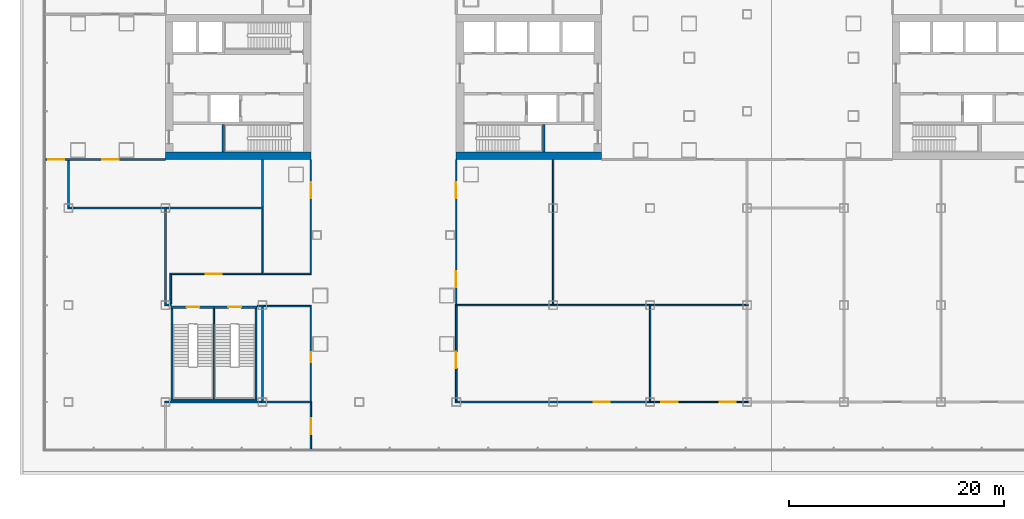
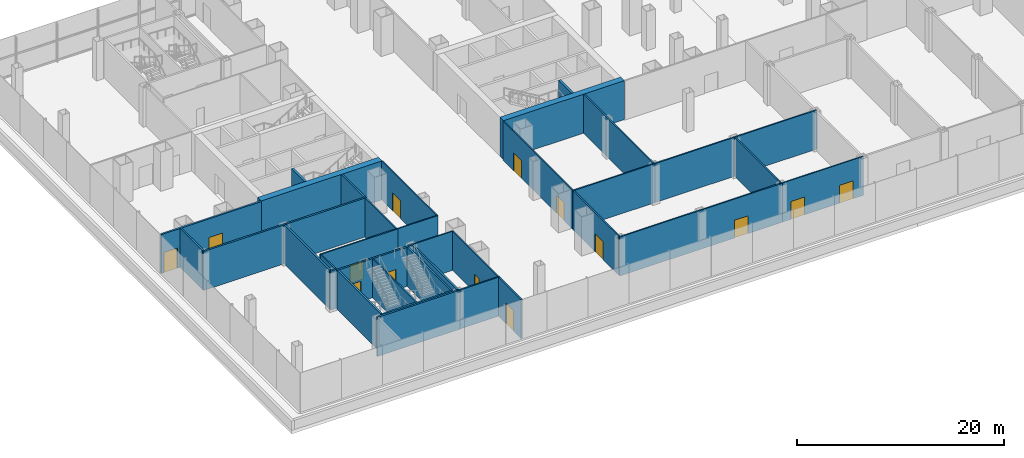
# One storey, part 20 of 33: 36 walls, 14 doors, 14 openings.
"""IFC4 building model written with IfcOpenShell, lengths in metres."""

from ifc_helpers import new_model, si_unit, direction, frame, frame_2d, origin, place, context, subcontext, project, spatial, rectangle, extrude, material, layer, layer_set, type_object, element, fill, save


model = new_model("IFC4")

# Units and contexts
model_context = context("Model", 3, precision=1e-05, world=origin(), true_north=direction((0.0, 1.0)))
body_context = subcontext(model_context, "Body", "Model", "MODEL_VIEW")
ifc_project = project(units=[si_unit("LENGTHUNIT", "METRE"), si_unit("AREAUNIT", "SQUARE_METRE"), si_unit("VOLUMEUNIT", "CUBIC_METRE"), si_unit("PLANEANGLEUNIT", "RADIAN"), si_unit("MASSUNIT", "GRAM", prefix="KILO")], contexts=[model_context])

# Site, building, storey
site_placement = place(None, origin())
site = spatial("IfcSite", under=ifc_project, at=site_placement, CompositionType="ELEMENT")
building_placement = place(site_placement, origin())
building = spatial("IfcBuilding", under=site, at=building_placement, Name="Shamsa Quay Exchange Towers", CompositionType="ELEMENT")
storey_placement = place(building_placement, frame((0.0, 0.0, 18.5)))
storey = spatial("IfcBuildingStorey", under=building, at=storey_placement, Name="L03", CompositionType="ELEMENT", Elevation=18.5)

# Walls
ifc_material_1 = material(Name="Concrete C80/95", Category="concrete")
ifc_layer_1 = layer(ifc_material_1, 0.699951171875)
ifc_layer_set_1 = layer_set([ifc_layer_1], Name="CORE WALL 700 C80/95")
wall_type_1 = type_object("IfcWallType", Name="CORE WALL 700 C80/95", PredefinedType="SHEAR", material=ifc_layer_set_1)
wall_1_placement = place(storey_placement, frame((-27.0, -6.39990234375, 0.0)))
element("IfcWall", 1, at=wall_1_placement, inside=storey, type_object=wall_type_1, Name="Core wall T1A-L03-PS", PredefinedType="SHEAR", context=body_context, shape_type="SweptSolid", body=[
    extrude(rectangle(XDim=13.5, YDim=0.699951171875, at=frame_2d((6.75, 0.0))), origin(), (0.0, 0.0, 1.0), 4.60009765625),
])
wall_2_placement = place(storey_placement, frame((-40.5, -6.39990234375, 0.0), z_axis=(0.0, 0.0, 1.0), x_axis=(-1.0, 0.0, 0.0)))
element("IfcWall", 2, at=wall_2_placement, inside=storey, type_object=wall_type_1, Name="Core wall T1B-L03-PS", PredefinedType="SHEAR", context=body_context, shape_type="SweptSolid", body=[
    extrude(rectangle(XDim=13.5, YDim=0.699951171875, at=frame_2d((6.75, 0.0))), origin(), (0.0, 0.0, 1.0), 4.60009765625),
])

# Wall, openings, doors
ifc_material_2 = material(Name="Laminated fire-resisting glass in a metal frame", Category="glass")
ifc_layer_2 = layer(ifc_material_2, 0.125)
ifc_layer_set_2 = layer_set([ifc_layer_2], Name="Glazed partition 125 mm EI 60")
wall_type_2 = type_object("IfcWallType", Name="Glazed partition 125 mm EI 60", PredefinedType="PARTITIONING", material=ifc_layer_set_2)
wall_3_placement = place(storey_placement, frame((-27.0, -20.175048828125, 0.0), z_axis=(0.0, 0.0, 1.0), x_axis=(0.0, 1.0, 0.0)))
wall_3 = element("IfcWall", 3, at=wall_3_placement, inside=storey, type_object=wall_type_2, Name="Partition PD-L03-W03", PredefinedType="PARTITIONING", context=body_context, shape_type="SweptSolid", body=[
    extrude(rectangle(XDim=13.425048828125, YDim=0.125, at=frame_2d((6.71240234375, 0.0))), origin(), (0.0, 0.0, 1.0), 4.60009765625),
])
opening_1_placement = place(wall_3_placement, frame((1.574951171875, 0.0, 0.0)))
opening_1 = element("IfcOpeningElement", 4, at=opening_1_placement, cuts=wall_3, Name="Opening PD-L03-D13", PredefinedType="OPENING", context=body_context, shape_type="SweptSolid", body=[
    extrude(rectangle(XDim=1.5, YDim=2.10009765625, at=frame_2d((0.75, 1.050048828125))), frame((0.0, 0.072509765625, 0.0), z_axis=(0.0, -1.0, 0.0), x_axis=(1.0, 0.0, 0.0)), (0.0, 0.0, 1.0), 0.14501953125),
])
opening_2_placement = place(wall_3_placement, frame((9.824951171875, 0.0, 0.0)))
opening_2 = element("IfcOpeningElement", 5, at=opening_2_placement, cuts=wall_3, Name="Opening PD-L03-D14", PredefinedType="OPENING", context=body_context, shape_type="SweptSolid", body=[
    extrude(rectangle(XDim=1.5, YDim=2.10009765625, at=frame_2d((0.75, 1.050048828125))), frame((0.0, 0.072509765625, 0.0), z_axis=(0.0, -1.0, 0.0), x_axis=(1.0, 0.0, 0.0)), (0.0, 0.0, 1.0), 0.14501953125),
])
ifc_material_3 = material(Name="Timber door leaf in a metal frame", Category="wood")
door_type_1 = type_object("IfcDoorType", Name="Door 1500x2100 FD30S pair", OperationType="NOTDEFINED", PredefinedType="DOOR", material=ifc_material_3)
door_1_placement = place(opening_1_placement, origin())
door_1 = element("IfcDoor", 6, at=door_1_placement, inside=storey, type_object=door_type_1, Name="Door PD-L03-D13", OperationType="DOUBLE_DOOR_SINGLE_SWING", OverallHeight=2.10009765625, OverallWidth=1.5, PredefinedType="DOOR", context=body_context, shape_type="SweptSolid", body=[
    extrude(rectangle(XDim=1.5, YDim=2.10009765625, at=frame_2d((0.75, 1.050048828125))), frame((0.0, 0.02490234375, 0.0), z_axis=(0.0, -1.0, 0.0), x_axis=(1.0, 0.0, 0.0)), (0.0, 0.0, 1.0), 0.050048828125),
])
fill(opening_1, door_1)
door_2_placement = place(opening_2_placement, origin())
door_2 = element("IfcDoor", 7, at=door_2_placement, inside=storey, type_object=door_type_1, Name="Door PD-L03-D14", OperationType="DOUBLE_DOOR_SINGLE_SWING", OverallHeight=2.10009765625, OverallWidth=1.5, PredefinedType="DOOR", context=body_context, shape_type="SweptSolid", body=[
    extrude(rectangle(XDim=1.5, YDim=2.10009765625, at=frame_2d((0.75, 1.050048828125))), frame((0.0, 0.02490234375, 0.0), z_axis=(0.0, -1.0, 0.0), x_axis=(1.0, 0.0, 0.0)), (0.0, 0.0, 1.0), 0.050048828125),
])
fill(opening_2, door_2)

# Wall, opening, door
wall_4_placement = place(storey_placement, frame((-40.5, -29.175048828125, 0.0), z_axis=(0.0, 0.0, 1.0), x_axis=(0.0, 1.0, 0.0)))
wall_4 = element("IfcWall", 8, at=wall_4_placement, inside=storey, type_object=wall_type_2, Name="Partition PD-L03-W07", PredefinedType="PARTITIONING", context=body_context, shape_type="SweptSolid", body=[
    extrude(rectangle(XDim=8.762939453125, YDim=0.125, at=frame_2d((4.38134765625, 0.0))), origin(), (0.0, 0.0, 1.0), 4.60009765625),
])
opening_3_placement = place(wall_4_placement, frame((3.625244140625, 0.0, 0.0)))
opening_3 = element("IfcOpeningElement", 9, at=opening_3_placement, cuts=wall_4, Name="Opening PD-L03-D07", PredefinedType="OPENING", context=body_context, shape_type="SweptSolid", body=[
    extrude(rectangle(XDim=0.89990234375, YDim=2.10009765625, at=frame_2d((0.449951171875, 1.050048828125))), frame((0.0, 0.072509765625, 0.0), z_axis=(0.0, -1.0, 0.0), x_axis=(1.0, 0.0, 0.0)), (0.0, 0.0, 1.0), 0.14501953125),
])
door_type_2 = type_object("IfcDoorType", Name="Door 900x2100 FD30S", OperationType="NOTDEFINED", PredefinedType="DOOR", material=ifc_material_3)
door_3_placement = place(opening_3_placement, origin())
door_3 = element("IfcDoor", 10, at=door_3_placement, inside=storey, type_object=door_type_2, Name="Door PD-L03-D07", OperationType="SINGLE_SWING_LEFT", OverallHeight=2.10009765625, OverallWidth=0.89990234375, PredefinedType="DOOR", context=body_context, shape_type="SweptSolid", body=[
    extrude(rectangle(XDim=0.89990234375, YDim=2.10009765625, at=frame_2d((0.449951171875, 1.050048828125))), frame((0.0, 0.02490234375, 0.0), z_axis=(0.0, -1.0, 0.0), x_axis=(1.0, 0.0, 0.0)), (0.0, 0.0, 1.0), 0.050048828125),
])
fill(opening_3, door_3)

wall_5_placement = place(storey_placement, frame((-40.5, -17.287109375, 0.0), z_axis=(0.0, 0.0, 1.0), x_axis=(0.0, 1.0, 0.0)))
wall_5 = element("IfcWall", 11, at=wall_5_placement, inside=storey, type_object=wall_type_2, Name="Partition PD-L03-W08", PredefinedType="PARTITIONING", context=body_context, shape_type="SweptSolid", body=[
    extrude(rectangle(XDim=10.537109375, YDim=0.125, at=frame_2d((5.2685546875, 0.0))), origin(), (0.0, 0.0, 1.0), 4.60009765625),
])
opening_4_placement = place(wall_5_placement, frame((6.93701171875, 0.0, 0.0)))
opening_4 = element("IfcOpeningElement", 12, at=opening_4_placement, cuts=wall_5, Name="Opening PD-L03-D08", PredefinedType="OPENING", context=body_context, shape_type="SweptSolid", body=[
    extrude(rectangle(XDim=1.5, YDim=2.10009765625, at=frame_2d((0.75, 1.050048828125))), frame((0.0, 0.072509765625, 0.0), z_axis=(0.0, -1.0, 0.0), x_axis=(1.0, 0.0, 0.0)), (0.0, 0.0, 1.0), 0.14501953125),
])
door_4_placement = place(opening_4_placement, origin())
door_4 = element("IfcDoor", 13, at=door_4_placement, inside=storey, type_object=door_type_1, Name="Door PD-L03-D08", OperationType="DOUBLE_DOOR_SINGLE_SWING", OverallHeight=2.10009765625, OverallWidth=1.5, PredefinedType="DOOR", context=body_context, shape_type="SweptSolid", body=[
    extrude(rectangle(XDim=1.5, YDim=2.10009765625, at=frame_2d((0.75, 1.050048828125))), frame((0.0, 0.02490234375, 0.0), z_axis=(0.0, -1.0, 0.0), x_axis=(1.0, 0.0, 0.0)), (0.0, 0.0, 1.0), 0.050048828125),
])
fill(opening_4, door_4)

# Wall, openings, doors
wall_6_placement = place(storey_placement, frame((0.10009765625, -29.25, 0.0), z_axis=(0.0, 0.0, 1.0), x_axis=(-1.0, 0.0, 0.0)))
wall_6 = element("IfcWall", 14, at=wall_6_placement, inside=storey, type_object=wall_type_2, Name="Partition PD-L03-W31", PredefinedType="PARTITIONING", context=body_context, shape_type="SweptSolid", body=[
    extrude(rectangle(XDim=9.175048828125, YDim=0.125, at=frame_2d((4.58740234375, 0.0))), origin(), (0.0, 0.0, 1.0), 4.60009765625),
])
opening_5_placement = place(wall_6_placement, frame((1.14990234375, 0.0, 0.0)))
opening_5 = element("IfcOpeningElement", 15, at=opening_5_placement, cuts=wall_6, Name="Opening PD-L03-D19", PredefinedType="OPENING", context=body_context, shape_type="SweptSolid", body=[
    extrude(rectangle(XDim=1.5, YDim=2.10009765625, at=frame_2d((0.75, 1.050048828125))), frame((0.0, 0.072509765625, 0.0), z_axis=(0.0, -1.0, 0.0), x_axis=(1.0, 0.0, 0.0)), (0.0, 0.0, 1.0), 0.14501953125),
])
opening_6_placement = place(wall_6_placement, frame((6.550048828125, 0.0, 0.0)))
opening_6 = element("IfcOpeningElement", 16, at=opening_6_placement, cuts=wall_6, Name="Opening PD-L03-D21", PredefinedType="OPENING", context=body_context, shape_type="SweptSolid", body=[
    extrude(rectangle(XDim=1.5, YDim=2.10009765625, at=frame_2d((0.75, 1.050048828125))), frame((0.0, 0.072509765625, 0.0), z_axis=(0.0, -1.0, 0.0), x_axis=(1.0, 0.0, 0.0)), (0.0, 0.0, 1.0), 0.14501953125),
])
door_5_placement = place(opening_5_placement, origin())
door_5 = element("IfcDoor", 17, at=door_5_placement, inside=storey, type_object=door_type_1, Name="Door PD-L03-D19", OperationType="DOUBLE_DOOR_SINGLE_SWING", OverallHeight=2.10009765625, OverallWidth=1.5, PredefinedType="DOOR", context=body_context, shape_type="SweptSolid", body=[
    extrude(rectangle(XDim=1.5, YDim=2.10009765625, at=frame_2d((0.75, 1.050048828125))), frame((0.0, 0.02490234375, 0.0), z_axis=(0.0, -1.0, 0.0), x_axis=(1.0, 0.0, 0.0)), (0.0, 0.0, 1.0), 0.050048828125),
])
fill(opening_5, door_5)
door_6_placement = place(opening_6_placement, origin())
door_6 = element("IfcDoor", 18, at=door_6_placement, inside=storey, type_object=door_type_1, Name="Door PD-L03-D21", OperationType="DOUBLE_DOOR_SINGLE_SWING", OverallHeight=2.10009765625, OverallWidth=1.5, PredefinedType="DOOR", context=body_context, shape_type="SweptSolid", body=[
    extrude(rectangle(XDim=1.5, YDim=2.10009765625, at=frame_2d((0.75, 1.050048828125))), frame((0.0, 0.02490234375, 0.0), z_axis=(0.0, -1.0, 0.0), x_axis=(1.0, 0.0, 0.0)), (0.0, 0.0, 1.0), 0.050048828125),
])
fill(opening_6, door_6)

# Walls
wall_7_placement = place(storey_placement, frame((-45.074951171875, -17.349609375, 0.0)))
element("IfcWall", 19, at=wall_7_placement, inside=storey, type_object=wall_type_2, Name="Partition PD-L03-W51", PredefinedType="PARTITIONING", context=body_context, shape_type="SweptSolid", body=[
    extrude(rectangle(XDim=4.637451171875, YDim=0.125, at=frame_2d((2.31884765625, 0.0))), origin(), (0.0, 0.0, 1.0), 4.60009765625),
])
wall_8_placement = place(storey_placement, frame((-40.4375, -20.349609375, 0.0), z_axis=(0.0, 0.0, 1.0), x_axis=(-1.0, 0.0, 0.0)))
element("IfcWall", 20, at=wall_8_placement, inside=storey, type_object=wall_type_2, Name="Partition PD-L03-W53", PredefinedType="PARTITIONING", context=body_context, shape_type="SweptSolid", body=[
    extrude(rectangle(XDim=4.66259765625, YDim=0.125, at=frame_2d((2.331298828125, 0.0))), origin(), (0.0, 0.0, 1.0), 4.60009765625),
])

# Wall, opening, door
ifc_material_4 = material(Name="Gypsum board partition on metal studs")
ifc_layer_3 = layer(ifc_material_4, 0.14990234375)
ifc_layer_set_3 = layer_set([ifc_layer_3], Name="Partition 150 mm EI 60")
wall_type_3 = type_object("IfcWallType", Name="Partition 150 mm EI 60", PredefinedType="PARTITIONING", material=ifc_layer_set_3)
wall_9_placement = place(storey_placement, frame((-27.0, -29.175048828125, 0.0), z_axis=(0.0, 0.0, 1.0), x_axis=(0.0, 1.0, 0.0)))
wall_9 = element("IfcWall", 21, at=wall_9_placement, inside=storey, type_object=wall_type_3, Name="Partition PD-L03-W02", PredefinedType="PARTITIONING", context=body_context, shape_type="SweptSolid", body=[
    extrude(rectangle(XDim=8.85009765625, YDim=0.14990234375, at=frame_2d((4.425048828125, 0.0))), origin(), (0.0, 0.0, 1.0), 4.60009765625),
])
opening_7_placement = place(wall_9_placement, frame((3.074951171875, 0.0, 0.0)))
opening_7 = element("IfcOpeningElement", 22, at=opening_7_placement, cuts=wall_9, Name="Opening PD-L03-D12", PredefinedType="OPENING", context=body_context, shape_type="SweptSolid", body=[
    extrude(rectangle(XDim=1.5, YDim=2.10009765625, at=frame_2d((0.75, 1.050048828125))), frame((0.0, 0.0849609375, 0.0), z_axis=(0.0, -1.0, 0.0), x_axis=(1.0, 0.0, 0.0)), (0.0, 0.0, 1.0), 0.169921875),
])
door_7_placement = place(opening_7_placement, origin())
door_7 = element("IfcDoor", 23, at=door_7_placement, inside=storey, type_object=door_type_1, Name="Door PD-L03-D12", OperationType="DOUBLE_DOOR_SINGLE_SWING", OverallHeight=2.10009765625, OverallWidth=1.5, PredefinedType="DOOR", context=body_context, shape_type="SweptSolid", body=[
    extrude(rectangle(XDim=1.5, YDim=2.10009765625, at=frame_2d((0.75, 1.050048828125))), frame((0.0, 0.02490234375, 0.0), z_axis=(0.0, -1.0, 0.0), x_axis=(1.0, 0.0, 0.0)), (0.0, 0.0, 1.0), 0.050048828125),
])
fill(opening_7, door_7)

wall_10_placement = place(storey_placement, frame((-40.5, -33.655029296875, 0.0), z_axis=(0.0, 0.0, 1.0), x_axis=(0.0, 1.0, 0.0)))
wall_10 = element("IfcWall", 24, at=wall_10_placement, inside=storey, type_object=wall_type_3, Name="Partition PD-L03-W04", PredefinedType="PARTITIONING", context=body_context, shape_type="SweptSolid", body=[
    extrude(rectangle(XDim=4.330078125, YDim=0.14990234375, at=frame_2d((2.1650390625, 0.0))), origin(), (0.0, 0.0, 1.0), 4.60009765625),
])
opening_8_placement = place(wall_10_placement, frame((1.405029296875, 0.0, 0.0)))
opening_8 = element("IfcOpeningElement", 25, at=opening_8_placement, cuts=wall_10, Name="Opening PD-L03-D06", PredefinedType="OPENING", context=body_context, shape_type="SweptSolid", body=[
    extrude(rectangle(XDim=1.5, YDim=2.39990234375, at=frame_2d((0.75, 1.199951171875))), frame((0.0, 0.0849609375, 0.0), z_axis=(0.0, -1.0, 0.0), x_axis=(1.0, 0.0, 0.0)), (0.0, 0.0, 1.0), 0.169921875),
])
door_type_3 = type_object("IfcDoorType", Name="Door 1500x2400 FD30S pair", OperationType="NOTDEFINED", PredefinedType="DOOR", material=ifc_material_3)
door_8_placement = place(opening_8_placement, origin())
door_8 = element("IfcDoor", 26, at=door_8_placement, inside=storey, type_object=door_type_3, Name="Door PD-L03-D06", OperationType="DOUBLE_DOOR_SINGLE_SWING", OverallHeight=2.39990234375, OverallWidth=1.5, PredefinedType="DOOR", context=body_context, shape_type="SweptSolid", body=[
    extrude(rectangle(XDim=1.5, YDim=2.39990234375, at=frame_2d((0.75, 1.199951171875))), frame((0.0, 0.02490234375, 0.0), z_axis=(0.0, -1.0, 0.0), x_axis=(1.0, 0.0, 0.0)), (0.0, 0.0, 1.0), 0.050048828125),
])
fill(opening_8, door_8)

wall_11_placement = place(storey_placement, frame((-8.925048828125, -29.25, 0.0), z_axis=(0.0, 0.0, 1.0), x_axis=(-1.0, 0.0, 0.0)))
wall_11 = element("IfcWall", 27, at=wall_11_placement, inside=storey, type_object=wall_type_3, Name="Partition PD-L03-W27", PredefinedType="PARTITIONING", context=body_context, shape_type="SweptSolid", body=[
    extrude(rectangle(XDim=18.14990234375, YDim=0.14990234375, at=frame_2d((9.074951171875, 0.0))), origin(), (0.0, 0.0, 1.0), 4.60009765625),
])
opening_9_placement = place(wall_11_placement, frame((3.824951171875, 0.0, 0.0)))
opening_9 = element("IfcOpeningElement", 28, at=opening_9_placement, cuts=wall_11, Name="Opening PD-L03-D18", PredefinedType="OPENING", context=body_context, shape_type="SweptSolid", body=[
    extrude(rectangle(XDim=1.5, YDim=2.10009765625, at=frame_2d((0.75, 1.050048828125))), frame((0.0, 0.0849609375, 0.0), z_axis=(0.0, -1.0, 0.0), x_axis=(1.0, 0.0, 0.0)), (0.0, 0.0, 1.0), 0.169921875),
])
door_9_placement = place(opening_9_placement, origin())
door_9 = element("IfcDoor", 29, at=door_9_placement, inside=storey, type_object=door_type_1, Name="Door PD-L03-D18", OperationType="DOUBLE_DOOR_SINGLE_SWING", OverallHeight=2.10009765625, OverallWidth=1.5, PredefinedType="DOOR", context=body_context, shape_type="SweptSolid", body=[
    extrude(rectangle(XDim=1.5, YDim=2.10009765625, at=frame_2d((0.75, 1.050048828125))), frame((0.0, 0.02490234375, 0.0), z_axis=(0.0, -1.0, 0.0), x_axis=(1.0, 0.0, 0.0)), (0.0, 0.0, 1.0), 0.050048828125),
])
fill(opening_9, door_9)

# Walls
wall_12_placement = place(storey_placement, frame((-40.425048828125, -29.25, 0.0), z_axis=(0.0, 0.0, 1.0), x_axis=(-1.0, 0.0, 0.0)))
element("IfcWall", 30, at=wall_12_placement, inside=storey, type_object=wall_type_3, Name="Partition PD-L03-W28", PredefinedType="PARTITIONING", context=body_context, shape_type="SweptSolid", body=[
    extrude(rectangle(XDim=4.675048828125, YDim=0.14990234375, at=frame_2d((2.33740234375, 0.0))), origin(), (0.0, 0.0, 1.0), 4.60009765625),
])
wall_13_placement = place(storey_placement, frame((-53.5, -20.14990234375, 0.0), z_axis=(0.0, 0.0, 1.0), x_axis=(0.0, 1.0, 0.0)))
element("IfcWall", 31, at=wall_13_placement, inside=storey, type_object=wall_type_3, Name="Partition PD-L03-W49", PredefinedType="PARTITIONING", context=body_context, shape_type="SweptSolid", body=[
    extrude(rectangle(XDim=2.725341796875, YDim=0.14990234375, at=frame_2d((1.36279296875, 0.0))), origin(), (0.0, 0.0, 1.0), 4.60009765625),
])

# Wall, opening, door
wall_14_placement = place(storey_placement, frame((-53.574951171875, -17.349609375, 0.0)))
wall_14 = element("IfcWall", 32, at=wall_14_placement, inside=storey, type_object=wall_type_3, Name="Partition PD-L03-W50", PredefinedType="PARTITIONING", context=body_context, shape_type="SweptSolid", body=[
    extrude(rectangle(XDim=8.64990234375, YDim=0.14990234375, at=frame_2d((4.324951171875, 0.0))), origin(), (0.0, 0.0, 1.0), 4.60009765625),
])
opening_10_placement = place(wall_14_placement, frame((3.324951171875, 0.0, 0.0)))
opening_10 = element("IfcOpeningElement", 33, at=opening_10_placement, cuts=wall_14, Name="Opening PD-L03-D05", PredefinedType="OPENING", context=body_context, shape_type="SweptSolid", body=[
    extrude(rectangle(XDim=1.5, YDim=2.10009765625, at=frame_2d((0.75, 1.050048828125))), frame((0.0, 0.0849609375, 0.0), z_axis=(0.0, -1.0, 0.0), x_axis=(1.0, 0.0, 0.0)), (0.0, 0.0, 1.0), 0.169921875),
])
door_10_placement = place(opening_10_placement, origin())
door_10 = element("IfcDoor", 34, at=door_10_placement, inside=storey, type_object=door_type_1, Name="Door PD-L03-D05", OperationType="DOUBLE_DOOR_SINGLE_SWING", OverallHeight=2.10009765625, OverallWidth=1.5, PredefinedType="DOOR", context=body_context, shape_type="SweptSolid", body=[
    extrude(rectangle(XDim=1.5, YDim=2.10009765625, at=frame_2d((0.75, 1.050048828125))), frame((0.0, 0.02490234375, 0.0), z_axis=(0.0, -1.0, 0.0), x_axis=(1.0, 0.0, 0.0)), (0.0, 0.0, 1.0), 0.050048828125),
])
fill(opening_10, door_10)

# Walls
wall_15_placement = place(storey_placement, frame((-45.0, -17.274658203125, 0.0), z_axis=(0.0, 0.0, 1.0), x_axis=(0.0, 1.0, 0.0)))
element("IfcWall", 35, at=wall_15_placement, inside=storey, type_object=wall_type_3, Name="Partition PD-L03-W58", PredefinedType="PARTITIONING", context=body_context, shape_type="SweptSolid", body=[
    extrude(rectangle(XDim=5.924560546875, YDim=0.14990234375, at=frame_2d((2.96240234375, 0.0))), origin(), (0.0, 0.0, 1.0), 4.60009765625),
])
wall_16_placement = place(storey_placement, frame((-18.074951171875, -20.25, 0.0)))
element("IfcWall", 36, at=wall_16_placement, inside=storey, type_object=wall_type_3, Name="Partition PD-L03-W80", PredefinedType="PARTITIONING", context=body_context, shape_type="SweptSolid", body=[
    extrude(rectangle(XDim=18.175048828125, YDim=0.14990234375, at=frame_2d((9.08740234375, 0.0))), origin(), (0.0, 0.0, 1.0), 4.60009765625),
])
wall_17_placement = place(storey_placement, frame((-18.0, -6.75, 0.0), z_axis=(0.0, 0.0, 1.0), x_axis=(0.0, -1.0, 0.0)))
element("IfcWall", 37, at=wall_17_placement, inside=storey, type_object=wall_type_3, Name="Partition PD-L03-W82", PredefinedType="PARTITIONING", context=body_context, shape_type="SweptSolid", body=[
    extrude(rectangle(XDim=13.425048828125, YDim=0.14990234375, at=frame_2d((6.71240234375, 0.0))), origin(), (0.0, 0.0, 1.0), 4.60009765625),
])
wall_18_placement = place(storey_placement, frame((-17.925048828125, -20.25, 0.0), z_axis=(0.0, 0.0, 1.0), x_axis=(-1.0, 0.0, 0.0)))
element("IfcWall", 38, at=wall_18_placement, inside=storey, type_object=wall_type_3, Name="Partition PD-L03-W89", PredefinedType="PARTITIONING", context=body_context, shape_type="SweptSolid", body=[
    extrude(rectangle(XDim=9.14990234375, YDim=0.14990234375, at=frame_2d((4.574951171875, 0.0))), origin(), (0.0, 0.0, 1.0), 4.60009765625),
])
wall_19_placement = place(storey_placement, frame((-9.0, -29.175048828125, 0.0), z_axis=(0.0, 0.0, 1.0), x_axis=(0.0, 1.0, 0.0)))
element("IfcWall", 39, at=wall_19_placement, inside=storey, type_object=wall_type_3, Name="Partition PD-L03-W90", PredefinedType="PARTITIONING", context=body_context, shape_type="SweptSolid", body=[
    extrude(rectangle(XDim=8.85009765625, YDim=0.14990234375, at=frame_2d((4.425048828125, 0.0))), origin(), (0.0, 0.0, 1.0), 4.60009765625),
])
ifc_layer_4 = layer(ifc_material_4, 0.199951171875)
ifc_layer_set_4 = layer_set([ifc_layer_4], Name="Partition 200 mm EI 90")
wall_type_4 = type_object("IfcWallType", Name="Partition 200 mm EI 90", PredefinedType="PARTITIONING", material=ifc_layer_set_4)
wall_20_placement = place(storey_placement, frame((-54.10009765625, -29.25, 0.0)))
element("IfcWall", 40, at=wall_20_placement, inside=storey, type_object=wall_type_4, Name="Partition PD-L03-W29", PredefinedType="PARTITIONING", context=body_context, shape_type="SweptSolid", body=[
    extrude(rectangle(XDim=9.2001953125, YDim=0.199951171875, at=frame_2d((4.60009765625, 0.0))), origin(), (0.0, 0.0, 1.0), 4.60009765625),
])

# Wall, openings, doors
wall_21_placement = place(storey_placement, frame((-54.0, -6.75, 0.0), z_axis=(0.0, 0.0, 1.0), x_axis=(-1.0, 0.0, 0.0)))
wall_21 = element("IfcWall", 41, at=wall_21_placement, inside=storey, type_object=wall_type_4, Name="Partition PD-L03-W33", PredefinedType="PARTITIONING", context=body_context, shape_type="SweptSolid", body=[
    extrude(rectangle(XDim=11.155029296875, YDim=0.199951171875, at=frame_2d((5.57763671875, 0.0))), origin(), (0.0, 0.0, 1.0), 4.60009765625),
])
opening_11_placement = place(wall_21_placement, frame((4.35009765625, 0.0, 0.0)))
opening_11 = element("IfcOpeningElement", 42, at=opening_11_placement, cuts=wall_21, Name="Opening PD-L03-D01", PredefinedType="OPENING", context=body_context, shape_type="SweptSolid", body=[
    extrude(rectangle(XDim=1.5, YDim=2.39990234375, at=frame_2d((0.75, 1.199951171875))), frame((0.0, 0.10986328125, 0.0), z_axis=(0.0, -1.0, 0.0), x_axis=(1.0, 0.0, 0.0)), (0.0, 0.0, 1.0), 0.219970703125),
])
opening_12_placement = place(wall_21_placement, frame((9.375, 0.0, 0.0)))
opening_12 = element("IfcOpeningElement", 43, at=opening_12_placement, cuts=wall_21, Name="Opening PD-L03-D02", PredefinedType="OPENING", context=body_context, shape_type="SweptSolid", body=[
    extrude(rectangle(XDim=1.5, YDim=2.39990234375, at=frame_2d((0.75, 1.199951171875))), frame((0.0, 0.10986328125, 0.0), z_axis=(0.0, -1.0, 0.0), x_axis=(1.0, 0.0, 0.0)), (0.0, 0.0, 1.0), 0.219970703125),
])
door_11_placement = place(opening_11_placement, origin())
door_11 = element("IfcDoor", 44, at=door_11_placement, inside=storey, type_object=door_type_3, Name="Door PD-L03-D01", OperationType="DOUBLE_DOOR_SINGLE_SWING", OverallHeight=2.39990234375, OverallWidth=1.5, PredefinedType="DOOR", context=body_context, shape_type="SweptSolid", body=[
    extrude(rectangle(XDim=1.5, YDim=2.39990234375, at=frame_2d((0.75, 1.199951171875))), frame((0.0, 0.02490234375, 0.0), z_axis=(0.0, -1.0, 0.0), x_axis=(1.0, 0.0, 0.0)), (0.0, 0.0, 1.0), 0.050048828125),
])
fill(opening_11, door_11)
door_12_placement = place(opening_12_placement, origin())
door_12 = element("IfcDoor", 45, at=door_12_placement, inside=storey, type_object=door_type_3, Name="Door PD-L03-D02", OperationType="DOUBLE_DOOR_SINGLE_SWING", OverallHeight=2.39990234375, OverallWidth=1.5, PredefinedType="DOOR", context=body_context, shape_type="SweptSolid", body=[
    extrude(rectangle(XDim=1.5, YDim=2.39990234375, at=frame_2d((0.75, 1.199951171875))), frame((0.0, 0.02490234375, 0.0), z_axis=(0.0, -1.0, 0.0), x_axis=(1.0, 0.0, 0.0)), (0.0, 0.0, 1.0), 0.050048828125),
])
fill(opening_12, door_12)

# Walls
wall_22_placement = place(storey_placement, frame((-44.89990234375, -20.349609375, 0.0), z_axis=(0.0, 0.0, 1.0), x_axis=(-1.0, 0.0, 0.0)))
element("IfcWall", 46, at=wall_22_placement, inside=storey, type_object=wall_type_4, Name="Partition PD-L03-W48", PredefinedType="PARTITIONING", context=body_context, shape_type="SweptSolid", body=[
    extrude(rectangle(XDim=0.60009765625, YDim=0.199951171875, at=frame_2d((0.300048828125, 0.0))), origin(), (0.0, 0.0, 1.0), 4.60009765625),
])
wall_23_placement = place(storey_placement, frame((-63.0, -11.14990234375, 0.0), z_axis=(0.0, 0.0, 1.0), x_axis=(0.0, 1.0, 0.0)))
element("IfcWall", 47, at=wall_23_placement, inside=storey, type_object=wall_type_4, Name="Partition PD-L03-W65", PredefinedType="PARTITIONING", context=body_context, shape_type="SweptSolid", body=[
    extrude(rectangle(XDim=4.2998046875, YDim=0.199951171875, at=frame_2d((2.14990234375, 0.0))), origin(), (0.0, 0.0, 1.0), 4.60009765625),
])
wall_24_placement = place(storey_placement, frame((-53.89990234375, -11.25, 0.0), z_axis=(0.0, 0.0, 1.0), x_axis=(-1.0, 0.0, 0.0)))
element("IfcWall", 48, at=wall_24_placement, inside=storey, type_object=wall_type_4, Name="Partition PD-L03-W67", PredefinedType="PARTITIONING", context=body_context, shape_type="SweptSolid", body=[
    extrude(rectangle(XDim=9.2001953125, YDim=0.199951171875, at=frame_2d((4.60009765625, 0.0))), origin(), (0.0, 0.0, 1.0), 4.60009765625),
])
wall_25_placement = place(storey_placement, frame((-54.0, -20.14990234375, 0.0), z_axis=(0.0, 0.0, 1.0), x_axis=(0.0, 1.0, 0.0)))
element("IfcWall", 49, at=wall_25_placement, inside=storey, type_object=wall_type_4, Name="Partition PD-L03-W69", PredefinedType="PARTITIONING", context=body_context, shape_type="SweptSolid", body=[
    extrude(rectangle(XDim=8.7998046875, YDim=0.199951171875, at=frame_2d((4.39990234375, 0.0))), origin(), (0.0, 0.0, 1.0), 4.60009765625),
])
wall_26_placement = place(storey_placement, frame((-53.425048828125, -20.25, 0.0), z_axis=(0.0, 0.0, 1.0), x_axis=(-1.0, 0.0, 0.0)))
element("IfcWall", 50, at=wall_26_placement, inside=storey, type_object=wall_type_4, Name="Partition PD-L03-W71", PredefinedType="PARTITIONING", context=body_context, shape_type="SweptSolid", body=[
    extrude(rectangle(XDim=0.675048828125, YDim=0.199951171875, at=frame_2d((0.33740234375, 0.0))), origin(), (0.0, 0.0, 1.0), 4.60009765625),
])
wall_27_placement = place(storey_placement, frame((-45.0, -29.14990234375, 0.0), z_axis=(0.0, 0.0, 1.0), x_axis=(0.0, 1.0, 0.0)))
element("IfcWall", 51, at=wall_27_placement, inside=storey, type_object=wall_type_4, Name="Partition PD-L03-W72", PredefinedType="PARTITIONING", context=body_context, shape_type="SweptSolid", body=[
    extrude(rectangle(XDim=8.7001953125, YDim=0.199951171875, at=frame_2d((4.35009765625, 0.0))), origin(), (0.0, 0.0, 1.0), 4.60009765625),
])
wall_28_placement = place(storey_placement, frame((-45.0, -11.14990234375, 0.0), z_axis=(0.0, 0.0, 1.0), x_axis=(0.0, 1.0, 0.0)))
element("IfcWall", 52, at=wall_28_placement, inside=storey, type_object=wall_type_4, Name="Partition PD-L03-W73", PredefinedType="PARTITIONING", context=body_context, shape_type="SweptSolid", body=[
    extrude(rectangle(XDim=4.39990234375, YDim=0.199951171875, at=frame_2d((2.199951171875, 0.0))), origin(), (0.0, 0.0, 1.0), 4.60009765625),
])
wall_29_placement = place(storey_placement, frame((-54.10009765625, -11.25, 0.0)))
element("IfcWall", 53, at=wall_29_placement, inside=storey, type_object=wall_type_4, Name="Partition PD-L03-W94", PredefinedType="PARTITIONING", context=body_context, shape_type="SweptSolid", body=[
    extrude(rectangle(XDim=9.2001953125, YDim=0.199951171875, at=frame_2d((4.60009765625, 0.0))), origin(), (0.0, 0.0, 1.0), 4.60009765625),
])
ifc_material_5 = material(Name="Concrete C50/60", Category="concrete")
ifc_layer_5 = layer(ifc_material_5, 0.25)
ifc_layer_set_5 = layer_set([ifc_layer_5], Name="SHAFT WALL 250 C50/60")
wall_type_5 = type_object("IfcWallType", Name="SHAFT WALL 250 C50/60", PredefinedType="SHEAR", material=ifc_layer_set_5)
for number, where, z_axis, x_axis, name in (
    (54, (-18.875, -6.050048828125, 0.0), (0.0, 0.0, 1.0), (0.0, 1.0, 0.0), "Shaft wall T1A-L03-STF"),
    (55, (-48.625, -6.050048828125, 0.0), (0.0, 0.0, 1.0), (0.0, 1.0, 0.0), "Shaft wall T1B-L03-STF"),
):
    element("IfcWall", number, at=place(storey_placement, frame(where, z_axis=z_axis, x_axis=x_axis)), inside=storey, type_object=wall_type_5, Name=name, PredefinedType="SHEAR", context=body_context, shape_type="SweptSolid", body=[
        extrude(rectangle(XDim=2.550048828125, YDim=0.25, at=frame_2d((1.27490234375, 0.0))), origin(), (0.0, 0.0, 1.0), 4.60009765625),
    ])

# Wall, openings, doors
ifc_layer_6 = layer(ifc_material_5, 0.199951171875)
ifc_layer_set_6 = layer_set([ifc_layer_6], Name="STAIR ENCLOSURE WALL 200 C50/60")
wall_type_6 = type_object("IfcWallType", Name="STAIR ENCLOSURE WALL 200 C50/60", PredefinedType="SHEAR", material=ifc_layer_set_6)
wall_30_placement = place(storey_placement, frame((-45.5, -20.449951171875, 0.0), z_axis=(0.0, 0.0, 1.0), x_axis=(-1.0, 0.0, 0.0)))
wall_30 = element("IfcWall", 56, at=wall_30_placement, inside=storey, type_object=wall_type_6, Name="Stair enclosure wall PS5 inward", PredefinedType="SHEAR", context=body_context, shape_type="SweptSolid", body=[
    extrude(rectangle(XDim=8.0, YDim=0.199951171875, at=frame_2d((4.0, 0.0))), origin(), (0.0, 0.0, 1.0), 4.60009765625),
])
opening_13_placement = place(wall_30_placement, frame((5.33740234375, 0.0, 0.0)))
opening_13 = element("IfcOpeningElement", 57, at=opening_13_placement, cuts=wall_30, Name="Opening PS5A-L03-SD01", PredefinedType="OPENING", context=body_context, shape_type="SweptSolid", body=[
    extrude(rectangle(XDim=1.199951171875, YDim=2.39990234375, at=frame_2d((0.60009765625, 1.199951171875))), frame((0.0, 0.10986328125, 0.0), z_axis=(0.0, -1.0, 0.0), x_axis=(1.0, 0.0, 0.0)), (0.0, 0.0, 1.0), 0.219970703125),
])
opening_14_placement = place(wall_30_placement, frame((1.46240234375, 0.0, 0.0)))
opening_14 = element("IfcOpeningElement", 58, at=opening_14_placement, cuts=wall_30, Name="Opening PS5B-L03-SD01", PredefinedType="OPENING", context=body_context, shape_type="SweptSolid", body=[
    extrude(rectangle(XDim=1.199951171875, YDim=2.39990234375, at=frame_2d((0.60009765625, 1.199951171875))), frame((0.0, 0.10986328125, 0.0), z_axis=(0.0, -1.0, 0.0), x_axis=(1.0, 0.0, 0.0)), (0.0, 0.0, 1.0), 0.219970703125),
])
ifc_material_6 = material(Name="Steel, fire rated", Category="steel")
door_type_4 = type_object("IfcDoorType", Name="PODIUM STAIR DOOR 1200", OperationType="SINGLE_SWING_LEFT", PredefinedType="DOOR", material=ifc_material_6)
door_13_placement = place(opening_13_placement, origin())
door_13 = element("IfcDoor", 59, at=door_13_placement, inside=storey, type_object=door_type_4, Name="PS5A-L03-SD01", OperationType="SINGLE_SWING_LEFT", OverallHeight=2.39990234375, OverallWidth=1.199951171875, PredefinedType="DOOR", context=body_context, shape_type="SweptSolid", body=[
    extrude(rectangle(XDim=1.199951171875, YDim=2.39990234375, at=frame_2d((0.60009765625, 1.199951171875))), frame((0.0, 0.02490234375, 0.0), z_axis=(0.0, -1.0, 0.0), x_axis=(1.0, 0.0, 0.0)), (0.0, 0.0, 1.0), 0.050048828125),
])
fill(opening_13, door_13)
door_14_placement = place(opening_14_placement, origin())
door_14 = element("IfcDoor", 60, at=door_14_placement, inside=storey, type_object=door_type_4, Name="PS5B-L03-SD01", OperationType="SINGLE_SWING_RIGHT", OverallHeight=2.39990234375, OverallWidth=1.199951171875, PredefinedType="DOOR", context=body_context, shape_type="SweptSolid", body=[
    extrude(rectangle(XDim=1.199951171875, YDim=2.39990234375, at=frame_2d((0.60009765625, 1.199951171875))), frame((0.0, 0.02490234375, 0.0), z_axis=(0.0, -1.0, 0.0), x_axis=(1.0, 0.0, 0.0)), (0.0, 0.0, 1.0), 0.050048828125),
])
fill(opening_14, door_14)

# Walls
wall_31_placement = place(storey_placement, frame((-53.5, -29.050048828125, 0.0)))
element("IfcWall", 61, at=wall_31_placement, inside=storey, type_object=wall_type_6, Name="Stair enclosure wall PS5 outward", PredefinedType="SHEAR", context=body_context, shape_type="SweptSolid", body=[
    extrude(rectangle(XDim=8.0, YDim=0.199951171875, at=frame_2d((4.0, 0.0))), origin(), (0.0, 0.0, 1.0), 4.60009765625),
])
for number, where, z_axis, x_axis, name in (
    (62, (-53.39990234375, -28.949951171875, 0.0), (0.0, 0.0, 1.0), (0.0, 1.0, 0.0), "Stair enclosure wall PS5 west"),
    (63, (-45.60009765625, -28.949951171875, 0.0), (0.0, 0.0, 1.0), (0.0, 1.0, 0.0), "Stair enclosure wall PS5 east"),
):
    element("IfcWall", number, at=place(storey_placement, frame(where, z_axis=z_axis, x_axis=x_axis)), inside=storey, type_object=wall_type_6, Name=name, PredefinedType="SHEAR", context=body_context, shape_type="SweptSolid", body=[
        extrude(rectangle(XDim=8.39990234375, YDim=0.199951171875, at=frame_2d((4.199951171875, 0.0))), origin(), (0.0, 0.0, 1.0), 4.60009765625),
    ])
ifc_layer_7 = layer(ifc_material_5, 0.14990234375)
ifc_layer_set_7 = layer_set([ifc_layer_7], Name="STAIR PARTITION WALL 150 C50/60")
wall_type_7 = type_object("IfcWallType", Name="STAIR PARTITION WALL 150 C50/60", PredefinedType="SHEAR", material=ifc_layer_set_7)
wall_32_placement = place(storey_placement, frame((-49.5, -28.949951171875, 0.0), z_axis=(0.0, 0.0, 1.0), x_axis=(0.0, 1.0, 0.0)))
element("IfcWall", 64, at=wall_32_placement, inside=storey, type_object=wall_type_7, Name="Stair enclosure wall PS5 between the stairs", PredefinedType="SHEAR", context=body_context, shape_type="SweptSolid", body=[
    extrude(rectangle(XDim=8.39990234375, YDim=0.14990234375, at=frame_2d((4.199951171875, 0.0))), origin(), (0.0, 0.0, 1.0), 4.60009765625),
])

save(model, "model.ifc")
